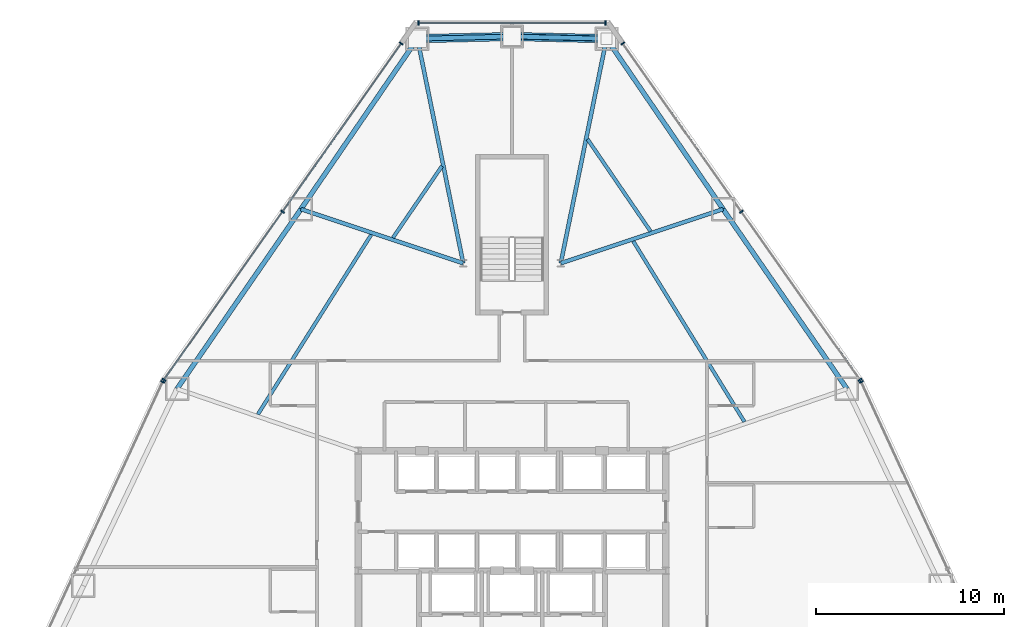
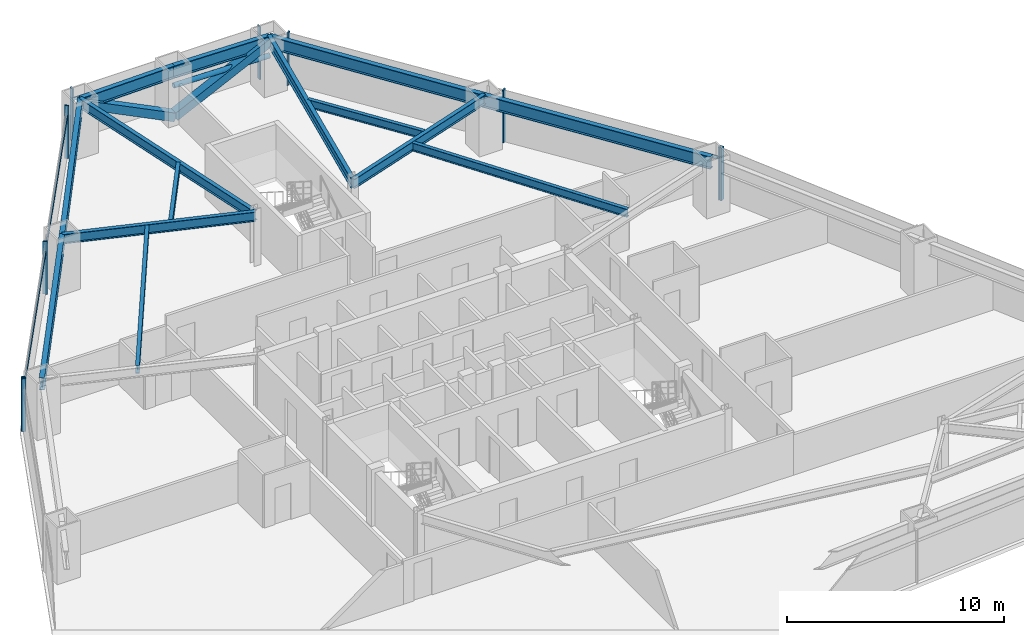
# One storey, part 7 of 12: 16 members, 14 beams, 5 elements without a shape of their own.
"""IFC4 building model written with IfcOpenShell, lengths in metres."""

from ifc_helpers import new_model, si_unit, direction, frame, origin, origin_2d, place, context, subcontext, project, spatial, rectangle, hollow_rectangle, hollow_circle, i_section, extrude, source, transform, mapped, material, layer, layer_set, material_profile, profile_set, type_object, type_shapes, element, aggregate, save


model = new_model("IFC4")

# Units and contexts
model_context = context("Model", 3, precision=1e-05, world=origin(), true_north=direction((0.0, 1.0)))
body_context = subcontext(model_context, "Body", "Model", "MODEL_VIEW")
ifc_project = project(units=[si_unit("LENGTHUNIT", "METRE"), si_unit("AREAUNIT", "SQUARE_METRE"), si_unit("VOLUMEUNIT", "CUBIC_METRE"), si_unit("PLANEANGLEUNIT", "RADIAN"), si_unit("MASSUNIT", "GRAM", prefix="KILO")], contexts=[model_context])

# Site, building, storey
site_placement = place(None, origin())
site = spatial("IfcSite", under=ifc_project, at=site_placement, CompositionType="ELEMENT")
building_placement = place(site_placement, origin())
building = spatial("IfcBuilding", under=site, at=building_placement, Name="Varakhsha Concourse Tower", CompositionType="ELEMENT")
storey_placement = place(building_placement, frame((0.0, 0.0, 36.800048828125)))
storey = spatial("IfcBuildingStorey", under=building, at=storey_placement, Name="L09", CompositionType="ELEMENT", Elevation=36.800048828125)

# Beams
ifc_material_1 = material(Name="Structural Steel ASTM A992 Grade 50", Category="steel")
ifc_material_profile_1 = material_profile(ifc_material_1, i_section(OverallWidth=0.19091796875, OverallDepth=0.45703125, WebThickness=0.009033203125, FlangeThickness=0.013916015625, at=origin_2d()), Name="W18X50")
ifc_profile_set_1 = profile_set([ifc_material_profile_1], Name="Structural Steel ASTM A992 Grade 50")
beam_type_1 = type_object("IfcBeamType", Name="BM-JST-W18X50", PredefinedType="JOIST", material=ifc_profile_set_1)
beam_1_placement = place(storey_placement, frame((36.263916015625, 46.376708984375, 2.75146484375), z_axis=(-0.56439805482, -0.825502777533, 0.0), x_axis=(0.825502777533, -0.56439805482, 0.0)))
element("IfcBeam", 1, at=beam_1_placement, inside=storey, type_object=beam_type_1, Name="BM-TJST-L09-03", PredefinedType="JOIST", context=body_context, shape_type="SweptSolid", body=[
    extrude(i_section(OverallWidth=0.19091796875, OverallDepth=0.45703125, WebThickness=0.009033203125, FlangeThickness=0.013916015625, at=origin_2d()), origin(), (0.0, 0.0, 1.0), 4.623779296875),
])
beam_2_placement = place(storey_placement, frame((32.4951171875, 42.72216796875, 2.75146484375), z_axis=(-0.533683895247, -0.845684042627, 0.0), x_axis=(0.845684042627, -0.533683895247, 0.0)))
element("IfcBeam", 2, at=beam_2_placement, inside=storey, type_object=beam_type_1, Name="BM-TJST-L09-04", PredefinedType="JOIST", context=body_context, shape_type="SweptSolid", body=[
    extrude(i_section(OverallWidth=0.19091796875, OverallDepth=0.45703125, WebThickness=0.009033203125, FlangeThickness=0.013916015625, at=origin_2d()), origin(), (0.0, 0.0, 1.0), 11.323486328125),
])
beam_3_placement = place(storey_placement, frame((52.390625, 32.74951171875, 2.75146484375), z_axis=(-0.524201058585, 0.851594533906, 0.0), x_axis=(-0.851594533906, -0.524201058585, 0.0)))
element("IfcBeam", 3, at=beam_3_placement, inside=storey, type_object=beam_type_1, Name="BM-TJST-L09-17", PredefinedType="JOIST", context=body_context, shape_type="SweptSolid", body=[
    extrude(i_section(OverallWidth=0.19091796875, OverallDepth=0.45703125, WebThickness=0.009033203125, FlangeThickness=0.013916015625, at=origin_2d()), origin(), (0.0, 0.0, 1.0), 11.303466796875),
])
beam_4_placement = place(storey_placement, frame((47.38427734375, 42.906005859375, 2.75146484375), z_axis=(-0.564442440935, 0.825472428899, 0.0), x_axis=(-0.825472428899, -0.564442440935, 0.0)))
element("IfcBeam", 4, at=beam_4_placement, inside=storey, type_object=beam_type_1, Name="BM-TJST-L09-18", PredefinedType="JOIST", context=body_context, shape_type="SweptSolid", body=[
    extrude(i_section(OverallWidth=0.19091796875, OverallDepth=0.45703125, WebThickness=0.009033203125, FlangeThickness=0.013916015625, at=origin_2d()), origin(), (0.0, 0.0, 1.0), 5.94482421875),
])
ifc_material_profile_2 = material_profile(ifc_material_1, i_section(OverallWidth=0.2109375, OverallDepth=0.5390625, WebThickness=0.011962890625, FlangeThickness=0.01904296875, at=origin_2d()), Name="W21X73")
ifc_profile_set_2 = profile_set([ifc_material_profile_2], Name="Structural Steel ASTM A992 Grade 50")
beam_type_2 = type_object("IfcBeamType", Name="BM-RAD-W21X73", PredefinedType="BEAM", material=ifc_profile_set_2)
for number, where, z_axis, x_axis, name in (
    (5, (42.60009765625, 41.199951171875, 2.71044921875), (0.1997615207, 0.979844546266, 0.0), (-0.979844546266, 0.1997615207, 0.0), "L09 Radial Floor Girder 01"),
    (6, (37.39990234375, 41.199951171875, 2.71044921875), (-0.1997615207, 0.979844546266, 0.0), (-0.979844546266, -0.1997615207, 0.0), "L09 Radial Floor Girder 03"),
):
    element("IfcBeam", number, at=place(storey_placement, frame(where, z_axis=z_axis, x_axis=x_axis)), inside=storey, type_object=beam_type_2, Name=name, PredefinedType="BEAM", context=body_context, shape_type="SweptSolid", body=[
        extrude(i_section(OverallWidth=0.2109375, OverallDepth=0.5390625, WebThickness=0.011962890625, FlangeThickness=0.01904296875, at=origin_2d()), origin(), (0.0, 0.0, 1.0), 12.218017578125),
    ])
for number, where, z_axis, x_axis, name in (
    (7, (37.39990234375, 41.199951171875, 2.71044921875), (-0.948694003302, 0.316195648451, 0.0), (-0.316195648451, -0.948694003302, 0.0), "L09 Radial Floor Girder 04"),
    (8, (42.60009765625, 41.199951171875, 2.71044921875), (0.948694003302, 0.316195648451, 0.0), (-0.316195648451, 0.948694003302, 0.0), "L09 Radial Floor Girder 18"),
):
    element("IfcBeam", number, at=place(storey_placement, frame(where, z_axis=z_axis, x_axis=x_axis)), inside=storey, type_object=beam_type_2, Name=name, PredefinedType="BEAM", context=body_context, shape_type="SweptSolid", body=[
        extrude(i_section(OverallWidth=0.2109375, OverallDepth=0.5390625, WebThickness=0.011962890625, FlangeThickness=0.01904296875, at=origin_2d()), origin(), (0.0, 0.0, 1.0), 9.121826171875),
    ])
ifc_material_profile_3 = material_profile(ifc_material_1, i_section(OverallWidth=0.25390625, OverallDepth=0.701904296875, WebThickness=0.014892578125, FlangeThickness=0.028076171875, at=origin_2d()), Name="W27X129")
ifc_profile_set_3 = profile_set([ifc_material_profile_3], Name="Structural Steel ASTM A992 Grade 50")
beam_type_3 = type_object("IfcBeamType", Name="BM-SPAN-W27X129", PredefinedType="SPANDREL", material=ifc_profile_set_3)
for number, where, z_axis, x_axis, name in (
    (9, (45.040771484375, 53.171630859375, 2.62890625), (-0.999731000266, 0.023193255637, 0.0), (-0.023193255637, -0.999731000266, 0.0), "BM-SPAN-L09-01"),
    (10, (40.0, 53.28857421875, 2.62890625), (-0.999731000266, -0.023193255637, 0.0), (0.023193255637, -0.999731000266, 0.0), "BM-SPAN-L09-02"),
):
    element("IfcBeam", number, at=place(storey_placement, frame(where, z_axis=z_axis, x_axis=x_axis)), inside=storey, type_object=beam_type_3, Name=name, PredefinedType="SPANDREL", context=body_context, shape_type="SweptSolid", body=[
        extrude(i_section(OverallWidth=0.25390625, OverallDepth=0.701904296875, WebThickness=0.014892578125, FlangeThickness=0.028076171875, at=origin_2d()), origin(), (0.0, 0.0, 1.0), 5.042236328125),
    ])
beam_5_placement = place(storey_placement, frame((34.959228515625, 53.171630859375, 2.62890625), z_axis=(-0.564401639279, -0.82550032682, 0.0), x_axis=(0.82550032682, -0.564401639279, 0.0)))
element("IfcBeam", 11, at=beam_5_placement, inside=storey, type_object=beam_type_3, Name="BM-SPAN-L09-03", PredefinedType="SPANDREL", context=body_context, shape_type="SweptSolid", body=[
    extrude(i_section(OverallWidth=0.25390625, OverallDepth=0.701904296875, WebThickness=0.014892578125, FlangeThickness=0.028076171875, at=origin_2d()), origin(), (0.0, 0.0, 1.0), 11.00830078125),
])
for number, where, z_axis, x_axis, name in (
    (12, (28.74609375, 44.084228515625, 2.62890625), (-0.567591182369, -0.823310542686, 0.0), (0.823310542686, -0.567591182369, 0.0), "BM-SPAN-L09-04"),
    (13, (57.855224609375, 34.5087890625, 2.62890625), (-0.567591182369, 0.823310542686, 0.0), (-0.823310542686, -0.567591182369, 0.0), "BM-SPAN-L09-17"),
):
    element("IfcBeam", number, at=place(storey_placement, frame(where, z_axis=z_axis, x_axis=x_axis)), inside=storey, type_object=beam_type_3, Name=name, PredefinedType="SPANDREL", context=body_context, shape_type="SweptSolid", body=[
        extrude(i_section(OverallWidth=0.25390625, OverallDepth=0.701904296875, WebThickness=0.014892578125, FlangeThickness=0.028076171875, at=origin_2d()), origin(), (0.0, 0.0, 1.0), 11.63037109375),
    ])
beam_6_placement = place(storey_placement, frame((51.25390625, 44.084228515625, 2.62890625), z_axis=(-0.564401639279, 0.82550032682, 0.0), x_axis=(-0.82550032682, -0.564401639279, 0.0)))
element("IfcBeam", 14, at=beam_6_placement, inside=storey, type_object=beam_type_3, Name="BM-SPAN-L09-18", PredefinedType="SPANDREL", context=body_context, shape_type="SweptSolid", body=[
    extrude(i_section(OverallWidth=0.25390625, OverallDepth=0.701904296875, WebThickness=0.014892578125, FlangeThickness=0.028076171875, at=origin_2d()), origin(), (0.0, 0.0, 1.0), 11.00830078125),
])

# Members
ifc_material_2 = material(Name="Structural Steel ASTM A500 Grade C", Category="steel")
ifc_material_profile_4 = material_profile(ifc_material_2, hollow_rectangle(XDim=0.449951171875, YDim=0.449951171875, WallThickness=0.01904296875, at=origin_2d()), Name="HSS 450x450x19")
ifc_profile_set_4 = profile_set([ifc_material_profile_4], Name="Structural Steel ASTM A500 Grade C")
member_type_1 = type_object("IfcMemberType", Name="MB-TUBE-HSS450", PredefinedType="BRACE", material=ifc_profile_set_4)
shared_shape_1 = source(origin(), body_context, "Body", "SweptSolid", [
    extrude(hollow_rectangle(XDim=0.449951171875, YDim=0.449951171875, WallThickness=0.01904296875, at=origin_2d()), origin(), (0.0, 0.0, 1.0), 5.65478515625),
])
type_shapes(member_type_1, [shared_shape_1])
for number, where, z_axis, x_axis, name in (
    (15, (40.0, 53.28857421875, 0.119873046875), (0.891411989635, -0.020680309151, 0.452721757317), (0.023193255637, 0.999731000266, 0.0), "L09 Wind-Corner Tube Brace B01"),
    (16, (40.0, 53.28857421875, 0.119873046875), (-0.891411989635, -0.020680309151, 0.452721757317), (0.023193255637, -0.999731000266, 0.0), "L09 Wind-Corner Tube Brace B02"),
):
    element("IfcMember", number, at=place(storey_placement, frame(where, z_axis=z_axis, x_axis=x_axis)), inside=storey, type_object=member_type_1, Name=name, PredefinedType="BRACE", context=body_context, shape_type="MappedRepresentation", body=[
        mapped(shared_shape_1, transform((0.0, 0.0, 0.0), scale=1.0)),
    ])
ifc_material_profile_5 = material_profile(ifc_material_2, hollow_circle(Radius=0.136474609375, WallThickness=0.011962890625, at=origin_2d()), Name="CHS 273x12")
ifc_profile_set_5 = profile_set([ifc_material_profile_5], Name="Structural Steel ASTM A500 Grade C")
member_type_2 = type_object("IfcMemberType", Name="MB-WIND-CHS273", PredefinedType="COLLAR", material=ifc_profile_set_5)
shared_shape_2 = source(origin(), body_context, "Body", "SweptSolid", [
    extrude(hollow_circle(Radius=0.136474609375, WallThickness=0.011962890625, at=origin_2d()), origin(), (0.0, 0.0, 1.0), 5.042236328125),
])
type_shapes(member_type_2, [shared_shape_2])
member_1_placement = place(storey_placement, frame((45.040771484375, 53.171630859375, 1.800048828125), z_axis=(-0.999731000266, 0.023193255637, 0.0), x_axis=(-0.023193255637, -0.999731000266, 0.0)))
element("IfcMember", 17, at=member_1_placement, inside=storey, type_object=member_type_2, Name="L09 Wind-Corner Collar Tie 1", PredefinedType="COLLAR", context=body_context, shape_type="MappedRepresentation", body=[
    mapped(shared_shape_2, transform((0.0, 0.0, 0.0), scale=1.0)),
])

# Curtain wall, members
ifc_material_3 = material(Name="Anodised Bronze Architectural Aluminium AA 6063-T6", Category="aluminium")
ifc_layer = layer(ifc_material_3, 0.219970703125, Name="CW-SYS-02")
ifc_layer_set = layer_set([ifc_layer], Name="Anodised Bronze Architectural Aluminium AA 6063-T6")
curtain_wall_type = type_object("IfcCurtainWallType", Name="CW-SYS-02", PredefinedType="NOTDEFINED", material=ifc_layer_set)
curtain_wall_1_placement = place(storey_placement, origin())
curtain_wall_1 = element("IfcCurtainWall", 18, at=curtain_wall_1_placement, inside=storey, type_object=curtain_wall_type, Name="L09 Chamfer Curtain Wall F1", PredefinedType="NOTDEFINED")
ifc_material_profile_6 = material_profile(ifc_material_3, rectangle(XDim=0.074951171875, YDim=0.219970703125, at=origin_2d()), Name="CWM-220X75")
ifc_profile_set_6 = profile_set([ifc_material_profile_6], Name="Anodised Bronze Architectural Aluminium AA 6063-T6")
member_type_3 = type_object("IfcMemberType", Name="CWM-220X75", PredefinedType="MULLION", material=ifc_profile_set_6)
shared_shape_3 = source(origin(), body_context, "Body", "SweptSolid", [
    extrude(rectangle(XDim=0.074951171875, YDim=0.219970703125, at=origin_2d()), origin(), (0.0, 0.0, 1.0), 2.97998046875),
])
type_shapes(member_type_3, [shared_shape_3])
member_2_placement = place(storey_placement, frame((35.005615234375, 54.008544921875, 0.0), z_axis=(0.0, 0.0, 1.0), x_axis=(1.0, 0.0, 0.0)))
member_2 = element("IfcMember", 19, at=member_2_placement, type_object=member_type_3, Name="CW-L09-F1 Mullion 00", PredefinedType="MULLION", context=body_context, shape_type="MappedRepresentation", body=[
    mapped(shared_shape_3, transform((0.0, 0.0, 0.0), scale=1.0)),
])
member_3_placement = place(storey_placement, frame((44.994384765625, 54.008544921875, 0.0), z_axis=(0.0, 0.0, 1.0), x_axis=(1.0, 0.0, 0.0)))
member_3 = element("IfcMember", 20, at=member_3_placement, type_object=member_type_3, Name="CW-L09-F1 Mullion 01", PredefinedType="MULLION", context=body_context, shape_type="MappedRepresentation", body=[
    mapped(shared_shape_3, transform((0.0, 0.0, 0.0), scale=1.0)),
])

curtain_wall_2_placement = place(storey_placement, origin())
curtain_wall_2 = element("IfcCurtainWall", 21, at=curtain_wall_2_placement, inside=storey, type_object=curtain_wall_type, Name="L09 Crystal Curtain Wall F2", PredefinedType="NOTDEFINED")
member_4_placement = place(storey_placement, frame((21.4453125, 34.98779296875, 0.0), z_axis=(0.0, 0.0, 1.0), x_axis=(0.576593464077, 0.817031197191, 0.0)))
member_4 = element("IfcMember", 22, at=member_4_placement, type_object=member_type_3, Name="CW-L09-F2 Mullion 00", PredefinedType="MULLION", context=body_context, shape_type="MappedRepresentation", body=[
    mapped(shared_shape_3, transform((0.0, 0.0, 0.0), scale=1.0)),
])
member_5_placement = place(storey_placement, frame((27.771484375, 43.951904296875, 0.0), z_axis=(0.0, 0.0, 1.0), x_axis=(0.576593464077, 0.817031197191, 0.0)))
member_5 = element("IfcMember", 23, at=member_5_placement, type_object=member_type_3, Name="CW-L09-F2 Mullion 01", PredefinedType="MULLION", context=body_context, shape_type="MappedRepresentation", body=[
    mapped(shared_shape_3, transform((0.0, 0.0, 0.0), scale=1.0)),
])
member_6_placement = place(storey_placement, frame((34.09765625, 52.916259765625, 0.0), z_axis=(0.0, 0.0, 1.0), x_axis=(0.576593464077, 0.817031197191, 0.0)))
member_6 = element("IfcMember", 24, at=member_6_placement, type_object=member_type_3, Name="CW-L09-F2 Mullion 02", PredefinedType="MULLION", context=body_context, shape_type="MappedRepresentation", body=[
    mapped(shared_shape_3, transform((0.0, 0.0, 0.0), scale=1.0)),
])

# Curtain wall, member
curtain_wall_3_placement = place(storey_placement, origin())
curtain_wall_3 = element("IfcCurtainWall", 25, at=curtain_wall_3_placement, inside=storey, type_object=curtain_wall_type, Name="L09 Crystal Curtain Wall F3", PredefinedType="NOTDEFINED")
member_7_placement = place(storey_placement, frame((21.380126953125, 34.875, 0.0), z_axis=(0.0, 0.0, 1.0), x_axis=(0.419269871381, 0.907861649676, 0.0)))
member_7 = element("IfcMember", 26, at=member_7_placement, type_object=member_type_3, Name="CW-L09-F3 Mullion 02", PredefinedType="MULLION", context=body_context, shape_type="MappedRepresentation", body=[
    mapped(shared_shape_3, transform((0.0, 0.0, 0.0), scale=1.0)),
])
aggregate(curtain_wall_3, [member_7])

curtain_wall_4_placement = place(storey_placement, origin())
curtain_wall_4 = element("IfcCurtainWall", 27, at=curtain_wall_4_placement, inside=storey, type_object=curtain_wall_type, Name="L09 Crystal Curtain Wall F8", PredefinedType="NOTDEFINED")
member_8_placement = place(storey_placement, frame((58.619873046875, 34.875, 0.0), z_axis=(0.0, 0.0, 1.0), x_axis=(0.419269871381, -0.907861649676, 0.0)))
member_8 = element("IfcMember", 28, at=member_8_placement, type_object=member_type_3, Name="CW-L09-F8 Mullion 00", PredefinedType="MULLION", context=body_context, shape_type="MappedRepresentation", body=[
    mapped(shared_shape_3, transform((0.0, 0.0, 0.0), scale=1.0)),
])
aggregate(curtain_wall_4, [member_8])

# Curtain wall, members
curtain_wall_5_placement = place(storey_placement, origin())
curtain_wall_5 = element("IfcCurtainWall", 29, at=curtain_wall_5_placement, inside=storey, type_object=curtain_wall_type, Name="L09 Crystal Curtain Wall F9", PredefinedType="NOTDEFINED")
member_9_placement = place(storey_placement, frame((45.90234375, 52.916259765625, 0.0), z_axis=(0.0, 0.0, 1.0), x_axis=(0.576593464077, -0.817031197191, 0.0)))
member_9 = element("IfcMember", 30, at=member_9_placement, type_object=member_type_3, Name="CW-L09-F9 Mullion 00", PredefinedType="MULLION", context=body_context, shape_type="MappedRepresentation", body=[
    mapped(shared_shape_3, transform((0.0, 0.0, 0.0), scale=1.0)),
])
member_10_placement = place(storey_placement, frame((52.228515625, 43.951904296875, 0.0), z_axis=(0.0, 0.0, 1.0), x_axis=(0.576593464077, -0.817031197191, 0.0)))
member_10 = element("IfcMember", 31, at=member_10_placement, type_object=member_type_3, Name="CW-L09-F9 Mullion 01", PredefinedType="MULLION", context=body_context, shape_type="MappedRepresentation", body=[
    mapped(shared_shape_3, transform((0.0, 0.0, 0.0), scale=1.0)),
])
member_11_placement = place(storey_placement, frame((58.5546875, 34.98779296875, 0.0), z_axis=(0.0, 0.0, 1.0), x_axis=(0.576593464077, -0.817031197191, 0.0)))
member_11 = element("IfcMember", 32, at=member_11_placement, type_object=member_type_3, Name="CW-L09-F9 Mullion 02", PredefinedType="MULLION", context=body_context, shape_type="MappedRepresentation", body=[
    mapped(shared_shape_3, transform((0.0, 0.0, 0.0), scale=1.0)),
])

# Member
ifc_material_profile_7 = material_profile(ifc_material_3, rectangle(XDim=0.06494140625, YDim=0.159912109375, at=origin_2d()), Name="CWT-160X65")
ifc_profile_set_7 = profile_set([ifc_material_profile_7], Name="Anodised Bronze Architectural Aluminium AA 6063-T6")
member_type_4 = type_object("IfcMemberType", Name="CWT-160X65", PredefinedType="USERDEFINED", material=ifc_profile_set_7)
shared_shape_4 = source(origin(), body_context, "Body", "SweptSolid", [
    extrude(rectangle(XDim=0.06494140625, YDim=0.159912109375, at=origin_2d()), origin(), (0.0, 0.0, 1.0), 9.98876953125),
])
member_12_placement = place(storey_placement, frame((35.005615234375, 54.008544921875, 2.329833984375), z_axis=(1.0, 0.0, 0.0), x_axis=(0.0, 1.0, 0.0)))
member_12 = element("IfcMember", 33, at=member_12_placement, type_object=member_type_4, Name="CW-L09-F1 Transom 01", ObjectType="TRANSOM", PredefinedType="USERDEFINED", context=body_context, shape_type="MappedRepresentation", body=[
    mapped(shared_shape_4, transform((0.0, 0.0, 0.0), scale=1.0)),
])

aggregate(curtain_wall_1, [member_2, member_3, member_12])

shared_shape_5 = source(origin(), body_context, "Body", "SweptSolid", [
    extrude(rectangle(XDim=0.06494140625, YDim=0.159912109375, at=origin_2d()), origin(), (0.0, 0.0, 1.0), 21.943359375),
])
type_shapes(member_type_4, [shared_shape_4, shared_shape_5])
member_13_placement = place(storey_placement, frame((21.4453125, 34.98779296875, 2.329833984375), z_axis=(0.576590589092, 0.817033226111, 0.0), x_axis=(-0.817033226111, 0.576590589092, 0.0)))
member_13 = element("IfcMember", 34, at=member_13_placement, type_object=member_type_4, Name="CW-L09-F2 Transom 01", ObjectType="TRANSOM", PredefinedType="USERDEFINED", context=body_context, shape_type="MappedRepresentation", body=[
    mapped(shared_shape_5, transform((0.0, 0.0, 0.0), scale=1.0)),
])

aggregate(curtain_wall_2, [member_4, member_5, member_6, member_13])

member_14_placement = place(storey_placement, frame((45.90234375, 52.916259765625, 2.329833984375), z_axis=(0.576590589092, -0.817033226111, 0.0), x_axis=(0.817033226111, 0.576590589092, 0.0)))
member_14 = element("IfcMember", 35, at=member_14_placement, type_object=member_type_4, Name="CW-L09-F9 Transom 01", ObjectType="TRANSOM", PredefinedType="USERDEFINED", context=body_context, shape_type="MappedRepresentation", body=[
    mapped(shared_shape_5, transform((0.0, 0.0, 0.0), scale=1.0)),
])

aggregate(curtain_wall_5, [member_9, member_10, member_11, member_14])

save(model, "model.ifc")
